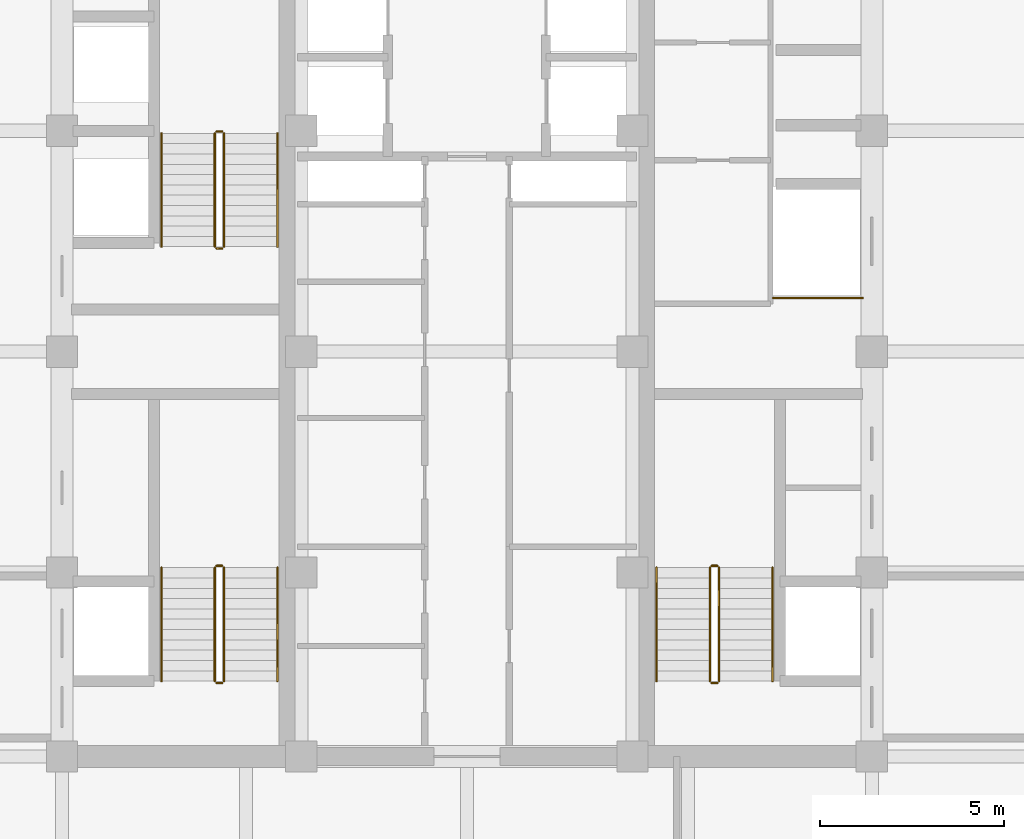
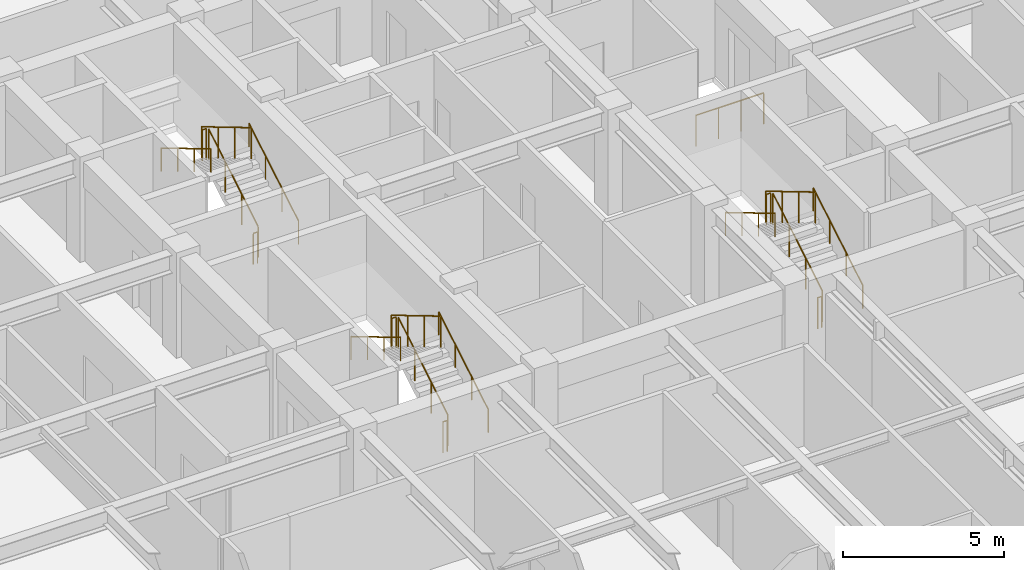
# One storey, part 24 of 24: 19 railings.
"""IFC4 building model written with IfcOpenShell, lengths in metres."""

from ifc_helpers import new_model, si_unit, direction, frame, origin, origin_2d, place, context, subcontext, project, spatial, circle, extrude, source, transform, mapped, material, type_object, element, save


model = new_model("IFC4")

# Units and contexts
model_context = context("Model", 3, precision=1e-05, world=origin(), true_north=direction((0.0, 1.0)))
body_context = subcontext(model_context, "Body", "Model", "MODEL_VIEW")
ifc_project = project(units=[si_unit("LENGTHUNIT", "METRE"), si_unit("AREAUNIT", "SQUARE_METRE"), si_unit("VOLUMEUNIT", "CUBIC_METRE"), si_unit("PLANEANGLEUNIT", "RADIAN"), si_unit("MASSUNIT", "GRAM", prefix="KILO")], contexts=[model_context])

# Site, building, storey
site_placement = place(None, origin())
site = spatial("IfcSite", under=ifc_project, at=site_placement, CompositionType="ELEMENT")
building_placement = place(site_placement, origin())
building = spatial("IfcBuilding", under=site, at=building_placement, Name="Khorayat Bourse Tower", CompositionType="ELEMENT")
storey_placement = place(building_placement, frame((0.0, 0.0, 219.10009765625)))
storey = spatial("IfcBuildingStorey", under=building, at=storey_placement, Name="L51", CompositionType="ELEMENT", Elevation=219.10009765625)

# Railings
ifc_material_1 = material(Name="Powder-coated steel balustrade", Category="steel")
railing_type_1 = type_object("IfcRailingType", Name="RLG-GUARD-1200", PredefinedType="GUARDRAIL", material=ifc_material_1)
shared_shape_1 = source(origin(), body_context, "Body", "SweptSolid", [
    extrude(circle(Radius=0.02392578125, at=origin_2d()), frame((0.0, 0.0, 1.17578125), z_axis=(-1.0, 0.0, 0.0), x_axis=(0.0, -1.0, 0.0)), (0.0, 0.0, 1.0), 0.150146484375),
    extrude(circle(Radius=0.02099609375, at=origin_2d()), origin(), (0.0, 0.0, 1.0), 1.15185546875),
    extrude(circle(Radius=0.02099609375, at=origin_2d()), frame((-0.150146484375, 0.0, 0.0)), (0.0, 0.0, 1.0), 1.15185546875),
])
for number, where, name in (
    (1, (-6.64990234375, -5.820068359375, 2.0), "L51 ST-1 stair guard 2"),
    (2, (-6.64990234375, -9.0, 0.0), "L51 ST-1 stair guard 4"),
    (3, (-6.64990234375, 5.97998046875, 2.0), "L51 ST-2 stair guard 2"),
    (4, (-6.64990234375, 2.800048828125, 0.0), "L51 ST-2 stair guard 4"),
    (5, (6.800048828125, -5.820068359375, 2.0), "L51 ST-3 stair guard 2"),
    (6, (6.800048828125, -9.0, 0.0), "L51 ST-3 stair guard 4"),
):
    element("IfcRailing", number, at=place(storey_placement, frame(where)), inside=storey, type_object=railing_type_1, Name=name, PredefinedType="GUARDRAIL", context=body_context, shape_type="MappedRepresentation", body=[
        mapped(shared_shape_1, transform((0.0, 0.0, 0.0), scale=1.0)),
    ])
shared_shape_2 = source(origin(), body_context, "Body", "SweptSolid", [
    extrude(circle(Radius=0.02392578125, at=origin_2d()), frame((0.0, 0.0, 1.17578125), z_axis=(0.0, 0.859260807169, 0.511537745687), x_axis=(-1.0, 0.0, 0.0)), (0.0, 0.0, 1.0), 3.584228515625),
    extrude(circle(Radius=0.02099609375, at=origin_2d()), origin(), (0.0, 0.0, 1.0), 1.15185546875),
    extrude(circle(Radius=0.02099609375, at=origin_2d()), frame((0.0, 1.026611328125, 0.611083984375)), (0.0, 0.0, 1.0), 1.15185546875),
    extrude(circle(Radius=0.02099609375, at=origin_2d()), frame((0.0, 2.05322265625, 1.222412109375)), (0.0, 0.0, 1.0), 1.15185546875),
    extrude(circle(Radius=0.02099609375, at=origin_2d()), frame((0.0, 3.079833984375, 1.83349609375)), (0.0, 0.0, 1.0), 1.15185546875),
])
for number, where, name in (
    (7, (-6.60009765625, -8.949951171875, 0.16650390625), "L51 ST-1 stair guard 1"),
    (8, (-6.60009765625, 2.85009765625, 0.16650390625), "L51 ST-2 stair guard 1"),
    (9, (6.85009765625, -8.949951171875, 0.16650390625), "L51 ST-3 stair guard 1"),
):
    element("IfcRailing", number, at=place(storey_placement, frame(where)), inside=storey, type_object=railing_type_1, Name=name, PredefinedType="GUARDRAIL", context=body_context, shape_type="MappedRepresentation", body=[
        mapped(shared_shape_2, transform((0.0, 0.0, 0.0), scale=1.0)),
    ])
shared_shape_3 = source(origin(), body_context, "Body", "SweptSolid", [
    extrude(circle(Radius=0.02392578125, at=origin_2d()), frame((0.0, 0.0, 1.17578125), z_axis=(0.0, -0.859260807169, 0.511537745687), x_axis=(1.0, 0.0, 0.0)), (0.0, 0.0, 1.0), 3.584228515625),
    extrude(circle(Radius=0.02099609375, at=origin_2d()), origin(), (0.0, 0.0, 1.0), 1.15185546875),
    extrude(circle(Radius=0.02099609375, at=origin_2d()), frame((0.0, -1.026611328125, 0.611083984375)), (0.0, 0.0, 1.0), 1.15185546875),
    extrude(circle(Radius=0.02099609375, at=origin_2d()), frame((0.0, -2.05322265625, 1.222412109375)), (0.0, 0.0, 1.0), 1.15185546875),
    extrude(circle(Radius=0.02099609375, at=origin_2d()), frame((0.0, -3.079833984375, 1.83349609375)), (0.0, 0.0, 1.0), 1.15185546875),
])
for number, where, name in (
    (10, (-6.85009765625, -5.8701171875, 2.16650390625), "L51 ST-1 stair guard 3"),
    (11, (-6.85009765625, 5.929931640625, 2.16650390625), "L51 ST-2 stair guard 3"),
    (12, (6.60009765625, -5.8701171875, 2.16650390625), "L51 ST-3 stair guard 3"),
):
    element("IfcRailing", number, at=place(storey_placement, frame(where)), inside=storey, type_object=railing_type_1, Name=name, PredefinedType="GUARDRAIL", context=body_context, shape_type="MappedRepresentation", body=[
        mapped(shared_shape_3, transform((0.0, 0.0, 0.0), scale=1.0)),
    ])
ifc_material_2 = material(Name="Brushed bronze stainless-steel handrail", Category="steel")
railing_type_2 = type_object("IfcRailingType", Name="RLG-HAND-900", PredefinedType="HANDRAIL", material=ifc_material_2)
shared_shape_4 = source(origin(), body_context, "Body", "SweptSolid", [
    extrude(circle(Radius=0.02392578125, at=origin_2d()), frame((0.0, 0.0, 0.8759765625), z_axis=(0.0, 0.859260807169, 0.511537745687), x_axis=(-1.0, 0.0, 0.0)), (0.0, 0.0, 1.0), 3.584228515625),
    extrude(circle(Radius=0.02099609375, at=origin_2d()), origin(), (0.0, 0.0, 1.0), 0.851806640625),
    extrude(circle(Radius=0.02099609375, at=origin_2d()), frame((0.0, 1.026611328125, 0.611083984375)), (0.0, 0.0, 1.0), 0.851806640625),
    extrude(circle(Radius=0.02099609375, at=origin_2d()), frame((0.0, 2.05322265625, 1.222412109375)), (0.0, 0.0, 1.0), 0.851806640625),
    extrude(circle(Radius=0.02099609375, at=origin_2d()), frame((0.0, 3.079833984375, 1.83349609375)), (0.0, 0.0, 1.0), 0.851806640625),
])
for number, where, name in (
    (13, (-5.14990234375, -8.949951171875, 0.16650390625), "L51 ST-1 stair handrail 1"),
    (14, (-5.14990234375, 2.85009765625, 0.16650390625), "L51 ST-2 stair handrail 1"),
    (15, (8.300048828125, -8.949951171875, 0.16650390625), "L51 ST-3 stair handrail 1"),
):
    element("IfcRailing", number, at=place(storey_placement, frame(where)), inside=storey, type_object=railing_type_2, Name=name, PredefinedType="HANDRAIL", context=body_context, shape_type="MappedRepresentation", body=[
        mapped(shared_shape_4, transform((0.0, 0.0, 0.0), scale=1.0)),
    ])
shared_shape_5 = source(origin(), body_context, "Body", "SweptSolid", [
    extrude(circle(Radius=0.02392578125, at=origin_2d()), frame((0.0, 0.0, 0.8759765625), z_axis=(0.0, -0.859260807169, 0.511537745687), x_axis=(1.0, 0.0, 0.0)), (0.0, 0.0, 1.0), 3.584228515625),
    extrude(circle(Radius=0.02099609375, at=origin_2d()), origin(), (0.0, 0.0, 1.0), 0.851806640625),
    extrude(circle(Radius=0.02099609375, at=origin_2d()), frame((0.0, -1.026611328125, 0.611083984375)), (0.0, 0.0, 1.0), 0.851806640625),
    extrude(circle(Radius=0.02099609375, at=origin_2d()), frame((0.0, -2.05322265625, 1.222412109375)), (0.0, 0.0, 1.0), 0.851806640625),
    extrude(circle(Radius=0.02099609375, at=origin_2d()), frame((0.0, -3.079833984375, 1.83349609375)), (0.0, 0.0, 1.0), 0.851806640625),
])
for number, where, name in (
    (16, (-8.300048828125, -5.8701171875, 2.16650390625), "L51 ST-1 stair handrail 2"),
    (17, (-8.300048828125, 5.929931640625, 2.16650390625), "L51 ST-2 stair handrail 2"),
    (18, (5.14990234375, -5.8701171875, 2.16650390625), "L51 ST-3 stair handrail 2"),
):
    element("IfcRailing", number, at=place(storey_placement, frame(where)), inside=storey, type_object=railing_type_2, Name=name, PredefinedType="HANDRAIL", context=body_context, shape_type="MappedRepresentation", body=[
        mapped(shared_shape_5, transform((0.0, 0.0, 0.0), scale=1.0)),
    ])
shared_shape_6 = source(origin(), body_context, "Body", "SweptSolid", [
    extrude(circle(Radius=0.02392578125, at=origin_2d()), frame((0.0, 0.0, 1.17578125), z_axis=(1.0, 0.0, 0.0), x_axis=(0.0, 1.0, 0.0)), (0.0, 0.0, 1.0), 2.429931640625),
    extrude(circle(Radius=0.02099609375, at=origin_2d()), origin(), (0.0, 0.0, 1.0), 1.15185546875),
    extrude(circle(Radius=0.02099609375, at=origin_2d()), frame((0.81005859375, 0.0, 0.0)), (0.0, 0.0, 1.0), 1.15185546875),
    extrude(circle(Radius=0.02099609375, at=origin_2d()), frame((1.619873046875, 0.0, 0.0)), (0.0, 0.0, 1.0), 1.15185546875),
    extrude(circle(Radius=0.02099609375, at=origin_2d()), frame((2.429931640625, 0.0, 0.0)), (0.0, 0.0, 1.0), 1.15185546875),
])
railing_placement = place(storey_placement, frame((8.320068359375, 1.4599609375, 0.0)))
element("IfcRailing", 19, at=railing_placement, inside=storey, type_object=railing_type_1, Name="L51 Goods Shaft Opening Guardrail", PredefinedType="GUARDRAIL", context=body_context, shape_type="MappedRepresentation", body=[
    mapped(shared_shape_6, transform((0.0, 0.0, 0.0), scale=1.0)),
])

save(model, "model.ifc")
